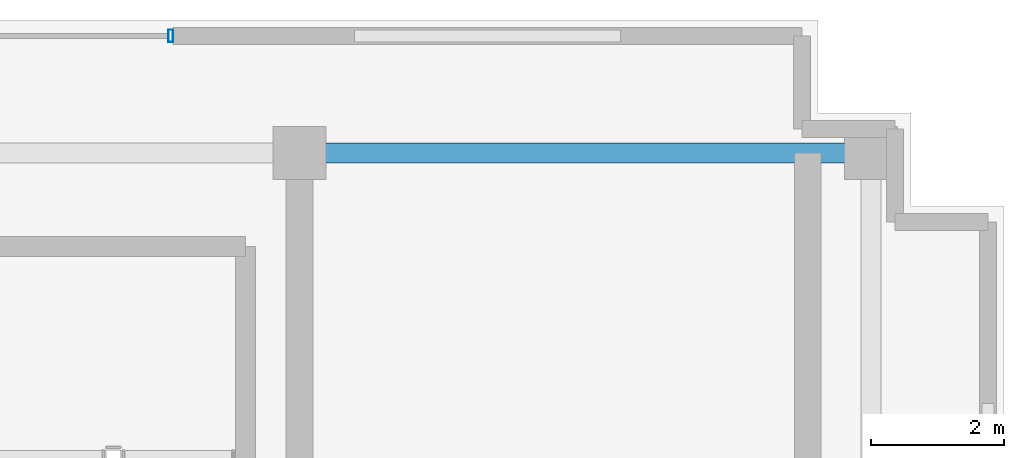
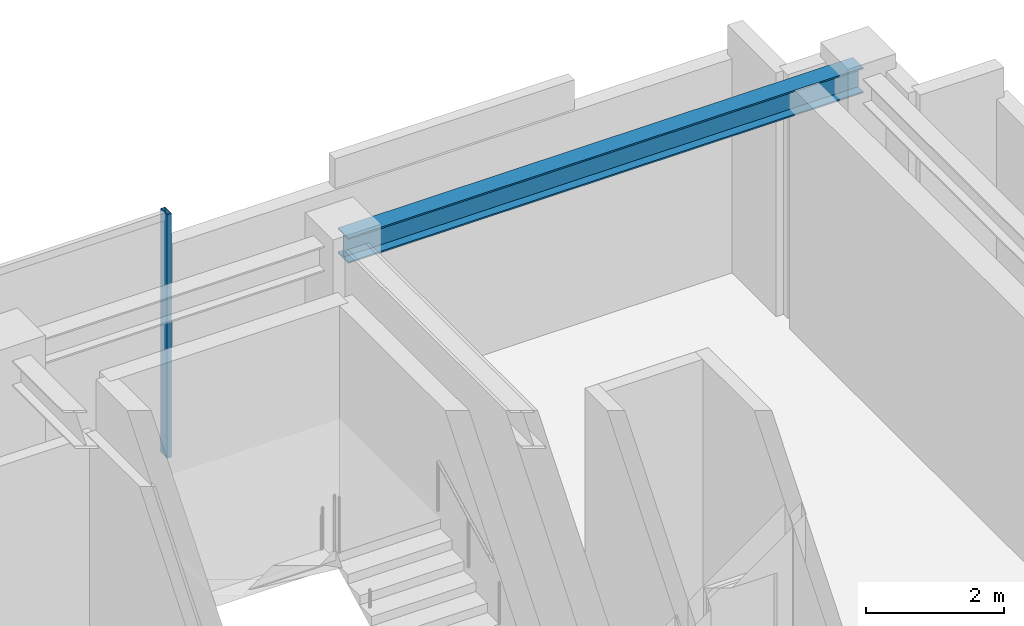
# One storey, part 13 of 18: 1 beam, 1 member, 1 element without a shape of its own.
"""IFC4 building model written with IfcOpenShell, lengths in metres."""

from ifc_helpers import new_model, si_unit, direction, frame, origin, origin_2d, place, context, subcontext, project, spatial, hollow_rectangle, i_section, extrude, source, transform, mapped, material, material_profile, profile_set, type_object, element, aggregate, save


model = new_model("IFC4")

# Units and contexts
model_context = context("Model", 3, precision=1e-05, world=origin(), true_north=direction((0.0, 1.0)))
body_context = subcontext(model_context, "Body", "Model", "MODEL_VIEW")
ifc_project = project(units=[si_unit("LENGTHUNIT", "METRE"), si_unit("AREAUNIT", "SQUARE_METRE"), si_unit("VOLUMEUNIT", "CUBIC_METRE"), si_unit("PLANEANGLEUNIT", "RADIAN"), si_unit("MASSUNIT", "GRAM", prefix="KILO")], contexts=[model_context])

# Site, building, storey
site_placement = place(None, origin())
site = spatial("IfcSite", under=ifc_project, at=site_placement, CompositionType="ELEMENT")
building_placement = place(site_placement, origin())
building = spatial("IfcBuilding", under=site, at=building_placement, Name="Nahalor Promenade Grand Hotel", CompositionType="ELEMENT")
storey_placement = place(building_placement, frame((0.0, 0.0, 361.64990234375)))
storey = spatial("IfcBuildingStorey", under=building, at=storey_placement, Name="L92", CompositionType="ELEMENT", Elevation=361.64990234375)

# Beam
ifc_material_1 = material(Name="Steel S355JR", Category="steel")
ifc_material_profile_1 = material_profile(ifc_material_1, i_section(OverallWidth=0.3, OverallDepth=0.45, WebThickness=0.014, FlangeThickness=0.026, at=origin_2d()), Name="HEB 450")
ifc_profile_set_1 = profile_set([ifc_material_profile_1], Name="Steel S355JR")
beam_type = type_object("IfcBeamType", Name="Beam-Girder-HEB450", PredefinedType="BEAM", material=ifc_profile_set_1)
shared_shape_1 = source(origin(), body_context, "Body", "SweptSolid", [
    extrude(i_section(OverallWidth=0.3, OverallDepth=0.45, WebThickness=0.014, FlangeThickness=0.026, at=origin_2d()), origin(), (0.0, 0.0, 1.0), 8.60009765625),
])
beam_placement = place(storey_placement, frame((8.39990234375, 17.0, 4.0751953125), z_axis=(1.0, 0.0, 0.0), x_axis=(0.0, 1.0, 0.0)))
element("IfcBeam", 1, at=beam_placement, inside=storey, type_object=beam_type, Name="BM-L92-GX-3-4", PredefinedType="BEAM", context=body_context, shape_type="MappedRepresentation", body=[
    mapped(shared_shape_1, transform((0.0, 0.0, 0.0), scale=1.0)),
])

# Curtain wall, member
ifc_material_2 = material(Name="Anodised Bronze Aluminium EN AW-6063 T6", Category="aluminium")
curtain_wall_type = type_object("IfcCurtainWallType", Name="CW6 Crown Botanical Conservatory Curtain Wall", PredefinedType="USERDEFINED", material=ifc_material_2)
curtain_wall_placement = place(storey_placement, origin())
curtain_wall = element("IfcCurtainWall", 2, at=curtain_wall_placement, inside=storey, type_object=curtain_wall_type, Name="L92 Curtain Wall CW-L92-N", ObjectType="UNITISED_CURTAIN_WALL", PredefinedType="USERDEFINED")
ifc_material_profile_2 = material_profile(ifc_material_2, hollow_rectangle(XDim=0.075, YDim=0.19, WallThickness=0.005, at=origin_2d()), Name="CWM 75x190x5")
ifc_profile_set_2 = profile_set([ifc_material_profile_2], Name="Anodised Bronze Aluminium EN AW-6063 T6")
member_type = type_object("IfcMemberType", Name="CWM6 Conservatory Bronze Mullion 75x190", PredefinedType="MULLION", material=ifc_profile_set_2)
shared_shape_2 = source(origin(), body_context, "Body", "SweptSolid", [
    extrude(hollow_rectangle(XDim=0.075, YDim=0.19, WallThickness=0.005, at=origin_2d()), origin(), (0.0, 0.0, 1.0), 4.300048828125),
])
member_placement = place(storey_placement, frame((6.46240234375, 18.760009765625, 0.0), z_axis=(0.0, 0.0, 1.0), x_axis=(1.0, 0.0, 0.0)))
member = element("IfcMember", 3, at=member_placement, type_object=member_type, Name="CW-L92-N Mullion 2", PredefinedType="MULLION", context=body_context, shape_type="MappedRepresentation", body=[
    mapped(shared_shape_2, transform((0.0, 0.0, 0.0), scale=1.0)),
])
aggregate(curtain_wall, [member])

save(model, "model.ifc")
